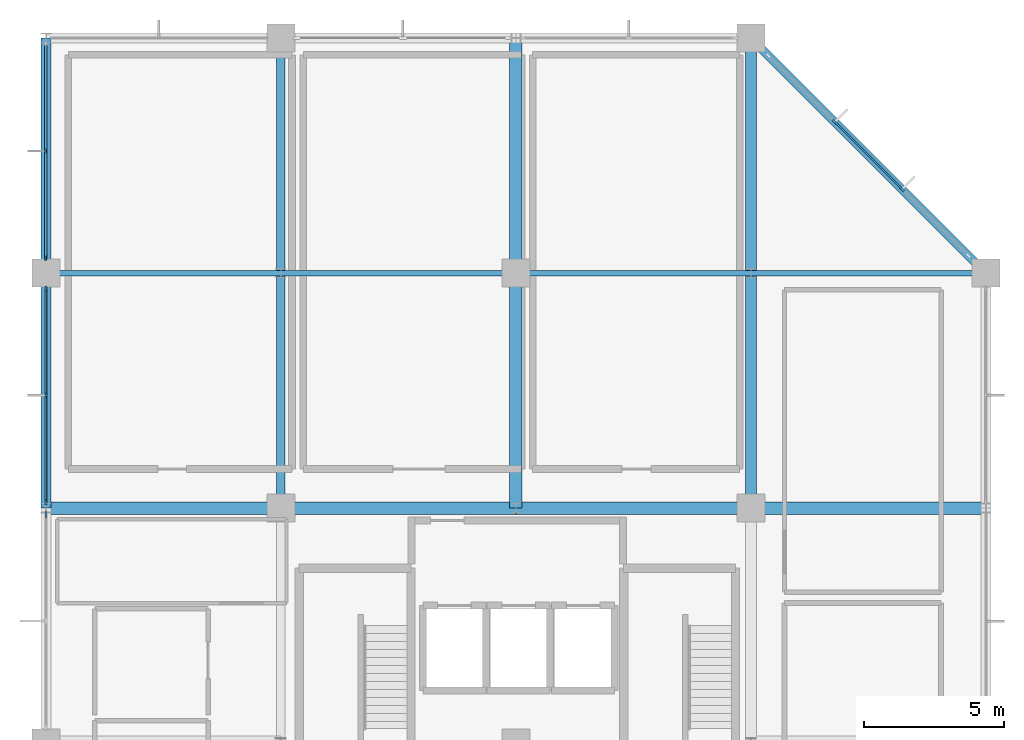
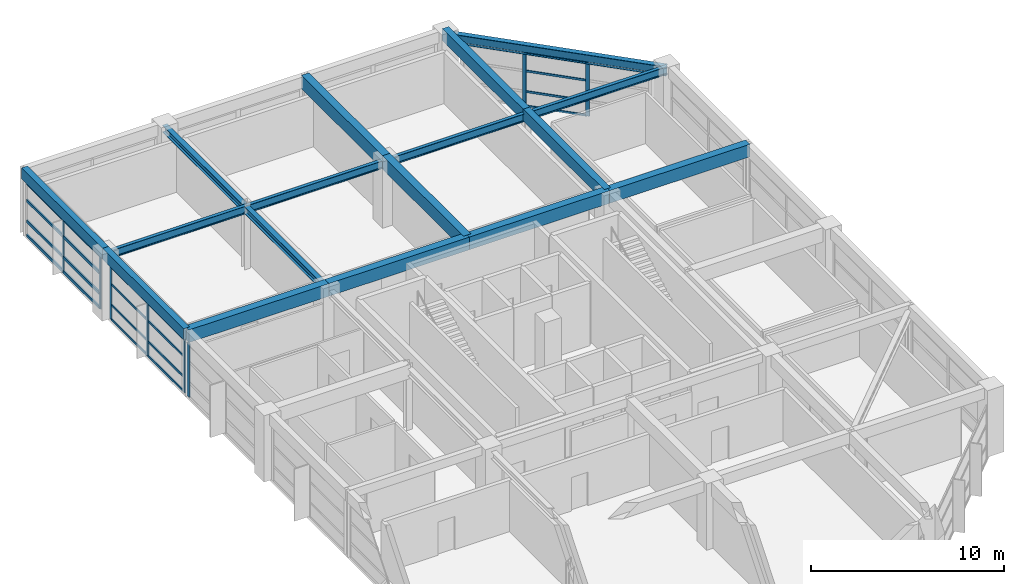
# One storey, part 7 of 15: 28 members, 17 beams, 4 elements without a shape of their own.
"""IFC4 building model written with IfcOpenShell, lengths in metres."""

from ifc_helpers import new_model, si_unit, direction, frame, origin, origin_2d, place, context, subcontext, project, spatial, rectangle, i_section, extrude, material, material_profile, profile_set, type_object, element, aggregate, save


model = new_model("IFC4")

# Units and contexts
model_context = context("Model", 3, precision=1e-05, world=origin(), true_north=direction((0.0, 1.0)))
body_context = subcontext(model_context, "Body", "Model", "MODEL_VIEW")
ifc_project = project(units=[si_unit("LENGTHUNIT", "METRE"), si_unit("AREAUNIT", "SQUARE_METRE"), si_unit("VOLUMEUNIT", "CUBIC_METRE"), si_unit("PLANEANGLEUNIT", "RADIAN"), si_unit("MASSUNIT", "GRAM", prefix="KILO")], contexts=[model_context])

# Site, building, storey
site_placement = place(None, origin())
site = spatial("IfcSite", under=ifc_project, at=site_placement, CompositionType="ELEMENT")
building_placement = place(site_placement, origin())
building = spatial("IfcBuilding", under=site, at=building_placement, Name="Xuanlan Plaza Opera House", CompositionType="ELEMENT")
storey_placement = place(building_placement, frame((0.0, 0.0, 53.10009765625)))
storey = spatial("IfcBuildingStorey", under=building, at=storey_placement, Name="L12", CompositionType="ELEMENT", Elevation=53.10009765625)

# Curtain wall, members
ifc_material_1 = material(Name="Anodised Aluminium 6063-T6 and Low-E Glass", Category="aluminium")
curtain_wall_type_1 = type_object("IfcCurtainWallType", Name="ENV-CW-CW-03", PredefinedType="USERDEFINED", material=ifc_material_1)
curtain_wall_1_placement = place(storey_placement, origin())
curtain_wall_1 = element("IfcCurtainWall", 1, at=curtain_wall_1_placement, inside=storey, type_object=curtain_wall_type_1, Name="Unitised Curtain Wall L12-013", ObjectType="UNITISED CURTAIN WALL", PredefinedType="USERDEFINED")
ifc_material_2 = material(Name="Anodised Aluminium 6063-T6", Category="aluminium")
ifc_material_profile_1 = material_profile(ifc_material_2, rectangle(XDim=0.070068359375, YDim=0.179931640625, at=origin_2d()), Name="ALU-M 70x180")
ifc_profile_set_1 = profile_set([ifc_material_profile_1], Name="Anodised Aluminium 6063-T6")
member_type_1 = type_object("IfcMemberType", Name="ENV-CWM-02", PredefinedType="MULLION", material=ifc_profile_set_1)
member_1_placement = place(storey_placement, frame((126.0, 79.96240234375, 0.0), z_axis=(0.0, 0.0, 1.0), x_axis=(1.0, 0.0, 0.0)))
member_1 = element("IfcMember", 2, at=member_1_placement, type_object=member_type_1, Name="CW-03 mullion 2", PredefinedType="MULLION", context=body_context, shape_type="SweptSolid", body=[
    extrude(rectangle(XDim=0.070068359375, YDim=0.179931640625, at=origin_2d()), origin(), (0.0, 0.0, 1.0), 3.3798828125),
])
member_2_placement = place(storey_placement, frame((126.0, 76.155029296875, 0.0), z_axis=(0.0, 0.0, 1.0), x_axis=(1.0, 0.0, 0.0)))
member_2 = element("IfcMember", 3, at=member_2_placement, type_object=member_type_1, Name="CW-03 mullion 3", PredefinedType="MULLION", context=body_context, shape_type="SweptSolid", body=[
    extrude(rectangle(XDim=0.070068359375, YDim=0.179931640625, at=origin_2d()), origin(), (0.0, 0.0, 1.0), 3.3798828125),
])

curtain_wall_2_placement = place(storey_placement, origin())
curtain_wall_2 = element("IfcCurtainWall", 4, at=curtain_wall_2_placement, inside=storey, type_object=curtain_wall_type_1, Name="Unitised Curtain Wall L12-009", ObjectType="UNITISED CURTAIN WALL", PredefinedType="USERDEFINED")
ifc_material_profile_2 = material_profile(ifc_material_2, rectangle(XDim=0.074951171875, YDim=0.199951171875, at=origin_2d()), Name="ALU-M 75x200")
ifc_profile_set_2 = profile_set([ifc_material_profile_2], Name="Anodised Aluminium 6063-T6")
member_type_2 = type_object("IfcMemberType", Name="ENV-CWM-03", PredefinedType="MULLION", material=ifc_profile_set_2)
member_3_placement = place(storey_placement, frame((156.600341796875, 78.599609375, 0.0), z_axis=(0.0, 0.0, 1.0), x_axis=(-0.707106781187, -0.707106781187, 0.0)))
member_3 = element("IfcMember", 5, at=member_3_placement, type_object=member_type_2, Name="CW-03 mullion 2", PredefinedType="MULLION", context=body_context, shape_type="SweptSolid", body=[
    extrude(rectangle(XDim=0.074951171875, YDim=0.199951171875, at=origin_2d()), origin(), (0.0, 0.0, 1.0), 3.3798828125),
])
member_4_placement = place(storey_placement, frame((154.19970703125, 81.000244140625, 0.0), z_axis=(0.0, 0.0, 1.0), x_axis=(-0.707106781187, -0.707106781187, 0.0)))
member_4 = element("IfcMember", 6, at=member_4_placement, type_object=member_type_2, Name="CW-03 mullion 3", PredefinedType="MULLION", context=body_context, shape_type="SweptSolid", body=[
    extrude(rectangle(XDim=0.074951171875, YDim=0.199951171875, at=origin_2d()), origin(), (0.0, 0.0, 1.0), 3.3798828125),
])

curtain_wall_type_2 = type_object("IfcCurtainWallType", Name="ENV-CW-CW-04", PredefinedType="USERDEFINED", material=ifc_material_1)
curtain_wall_3_placement = place(storey_placement, origin())
curtain_wall_3 = element("IfcCurtainWall", 7, at=curtain_wall_3_placement, inside=storey, type_object=curtain_wall_type_2, Name="Unitised Curtain Wall L12-014", ObjectType="UNITISED CURTAIN WALL", PredefinedType="USERDEFINED")
member_5_placement = place(storey_placement, frame((126.0, 75.04248046875, 0.0), z_axis=(0.0, 0.0, 1.0), x_axis=(1.0, 0.0, 0.0)))
member_5 = element("IfcMember", 8, at=member_5_placement, type_object=member_type_2, Name="CW-04 mullion 1", PredefinedType="MULLION", context=body_context, shape_type="SweptSolid", body=[
    extrude(rectangle(XDim=0.074951171875, YDim=0.199951171875, at=origin_2d()), origin(), (0.0, 0.0, 1.0), 3.3798828125),
])
member_6_placement = place(storey_placement, frame((126.0, 71.237548828125, 0.0), z_axis=(0.0, 0.0, 1.0), x_axis=(1.0, 0.0, 0.0)))
member_6 = element("IfcMember", 9, at=member_6_placement, type_object=member_type_2, Name="CW-04 mullion 2", PredefinedType="MULLION", context=body_context, shape_type="SweptSolid", body=[
    extrude(rectangle(XDim=0.074951171875, YDim=0.199951171875, at=origin_2d()), origin(), (0.0, 0.0, 1.0), 3.3798828125),
])
member_7_placement = place(storey_placement, frame((126.0, 67.4326171875, 0.0), z_axis=(0.0, 0.0, 1.0), x_axis=(1.0, 0.0, 0.0)))
member_7 = element("IfcMember", 10, at=member_7_placement, type_object=member_type_2, Name="CW-04 mullion 3", PredefinedType="MULLION", context=body_context, shape_type="SweptSolid", body=[
    extrude(rectangle(XDim=0.074951171875, YDim=0.199951171875, at=origin_2d()), origin(), (0.0, 0.0, 1.0), 3.3798828125),
])

# Curtain wall, member
curtain_wall_type_3 = type_object("IfcCurtainWallType", Name="ENV-CW-CW-01", PredefinedType="USERDEFINED", material=ifc_material_1)
curtain_wall_4_placement = place(storey_placement, origin())
curtain_wall_4 = element("IfcCurtainWall", 11, at=curtain_wall_4_placement, inside=storey, type_object=curtain_wall_type_3, Name="Unitised Curtain Wall L12-015", ObjectType="UNITISED CURTAIN WALL", PredefinedType="USERDEFINED")
ifc_material_profile_3 = material_profile(ifc_material_2, rectangle(XDim=0.080078125, YDim=0.219970703125, at=origin_2d()), Name="ALU-M 80x220")
ifc_profile_set_3 = profile_set([ifc_material_profile_3], Name="Anodised Aluminium 6063-T6")
member_type_3 = type_object("IfcMemberType", Name="ENV-CWM-04", PredefinedType="MULLION", material=ifc_profile_set_3)
member_8_placement = place(storey_placement, frame((126.0, 66.965087890625, 0.0), z_axis=(0.0, 0.0, 1.0), x_axis=(1.0, 0.0, 0.0)))
member_8 = element("IfcMember", 12, at=member_8_placement, type_object=member_type_3, Name="CW-01 mullion 1", PredefinedType="MULLION", context=body_context, shape_type="SweptSolid", body=[
    extrude(rectangle(XDim=0.080078125, YDim=0.219970703125, at=origin_2d()), origin(), (0.0, 0.0, 1.0), 3.3798828125),
])
aggregate(curtain_wall_4, [member_8])

# Member
ifc_material_profile_4 = material_profile(ifc_material_2, rectangle(XDim=0.070068359375, YDim=0.135009765625, at=origin_2d()), Name="ALU-T 70x135")
ifc_profile_set_4 = profile_set([ifc_material_profile_4], Name="Anodised Aluminium 6063-T6")
member_type_4 = type_object("IfcMemberType", Name="ENV-CWT-02", PredefinedType="USERDEFINED", material=ifc_profile_set_4)
member_9_placement = place(storey_placement, frame((156.57373046875, 78.626220703125, 0.034912109375), z_axis=(-0.707106781187, 0.707106781187, 0.0), x_axis=(-0.707106781187, -0.707106781187, 0.0)))
member_9 = element("IfcMember", 13, at=member_9_placement, type_object=member_type_4, Name="CW-03 transom 2.1", ObjectType="TRANSOM", PredefinedType="USERDEFINED", context=body_context, shape_type="SweptSolid", body=[
    extrude(rectangle(XDim=0.070068359375, YDim=0.135009765625, at=origin_2d()), origin(), (0.0, 0.0, 1.0), 3.320068359375),
])

member_10_placement = place(storey_placement, frame((156.57373046875, 78.626220703125, 0.949951171875), z_axis=(-0.707106781187, 0.707106781187, 0.0), x_axis=(-0.707106781187, -0.707106781187, 0.0)))
member_10 = element("IfcMember", 14, at=member_10_placement, type_object=member_type_4, Name="CW-03 transom 2.2", ObjectType="TRANSOM", PredefinedType="USERDEFINED", context=body_context, shape_type="SweptSolid", body=[
    extrude(rectangle(XDim=0.070068359375, YDim=0.135009765625, at=origin_2d()), origin(), (0.0, 0.0, 1.0), 3.320068359375),
])

member_11_placement = place(storey_placement, frame((156.57373046875, 78.626220703125, 2.25), z_axis=(-0.707106781187, 0.707106781187, 0.0), x_axis=(-0.707106781187, -0.707106781187, 0.0)))
member_11 = element("IfcMember", 15, at=member_11_placement, type_object=member_type_4, Name="CW-03 transom 2.3", ObjectType="TRANSOM", PredefinedType="USERDEFINED", context=body_context, shape_type="SweptSolid", body=[
    extrude(rectangle(XDim=0.070068359375, YDim=0.135009765625, at=origin_2d()), origin(), (0.0, 0.0, 1.0), 3.320068359375),
])

member_12_placement = place(storey_placement, frame((156.57373046875, 78.626220703125, 3.344970703125), z_axis=(-0.707106781187, 0.707106781187, 0.0), x_axis=(-0.707106781187, -0.707106781187, 0.0)))
member_12 = element("IfcMember", 16, at=member_12_placement, type_object=member_type_4, Name="CW-03 transom 2.4", ObjectType="TRANSOM", PredefinedType="USERDEFINED", context=body_context, shape_type="SweptSolid", body=[
    extrude(rectangle(XDim=0.070068359375, YDim=0.135009765625, at=origin_2d()), origin(), (0.0, 0.0, 1.0), 3.320068359375),
])

aggregate(curtain_wall_2, [member_3, member_4, member_9, member_10, member_11, member_12])

member_13_placement = place(storey_placement, frame((126.0, 75.0048828125, 0.034912109375), z_axis=(0.0, -1.0, 0.0), x_axis=(1.0, 0.0, 0.0)))
member_13 = element("IfcMember", 17, at=member_13_placement, type_object=member_type_4, Name="CW-04 transom 1.1", ObjectType="TRANSOM", PredefinedType="USERDEFINED", context=body_context, shape_type="SweptSolid", body=[
    extrude(rectangle(XDim=0.070068359375, YDim=0.135009765625, at=origin_2d()), origin(), (0.0, 0.0, 1.0), 3.72998046875),
])

member_14_placement = place(storey_placement, frame((126.0, 75.0048828125, 0.949951171875), z_axis=(0.0, -1.0, 0.0), x_axis=(1.0, 0.0, 0.0)))
member_14 = element("IfcMember", 18, at=member_14_placement, type_object=member_type_4, Name="CW-04 transom 1.2", ObjectType="TRANSOM", PredefinedType="USERDEFINED", context=body_context, shape_type="SweptSolid", body=[
    extrude(rectangle(XDim=0.070068359375, YDim=0.135009765625, at=origin_2d()), origin(), (0.0, 0.0, 1.0), 3.72998046875),
])

member_15_placement = place(storey_placement, frame((126.0, 75.0048828125, 2.25), z_axis=(0.0, -1.0, 0.0), x_axis=(1.0, 0.0, 0.0)))
member_15 = element("IfcMember", 19, at=member_15_placement, type_object=member_type_4, Name="CW-04 transom 1.3", ObjectType="TRANSOM", PredefinedType="USERDEFINED", context=body_context, shape_type="SweptSolid", body=[
    extrude(rectangle(XDim=0.070068359375, YDim=0.135009765625, at=origin_2d()), origin(), (0.0, 0.0, 1.0), 3.72998046875),
])

member_16_placement = place(storey_placement, frame((126.0, 75.0048828125, 3.344970703125), z_axis=(0.0, -1.0, 0.0), x_axis=(1.0, 0.0, 0.0)))
member_16 = element("IfcMember", 20, at=member_16_placement, type_object=member_type_4, Name="CW-04 transom 1.4", ObjectType="TRANSOM", PredefinedType="USERDEFINED", context=body_context, shape_type="SweptSolid", body=[
    extrude(rectangle(XDim=0.070068359375, YDim=0.135009765625, at=origin_2d()), origin(), (0.0, 0.0, 1.0), 3.72998046875),
])

member_17_placement = place(storey_placement, frame((126.0, 71.199951171875, 0.034912109375), z_axis=(0.0, -1.0, 0.0), x_axis=(1.0, 0.0, 0.0)))
member_17 = element("IfcMember", 21, at=member_17_placement, type_object=member_type_4, Name="CW-04 transom 2.1", ObjectType="TRANSOM", PredefinedType="USERDEFINED", context=body_context, shape_type="SweptSolid", body=[
    extrude(rectangle(XDim=0.070068359375, YDim=0.135009765625, at=origin_2d()), origin(), (0.0, 0.0, 1.0), 3.72998046875),
])

member_18_placement = place(storey_placement, frame((126.0, 71.199951171875, 0.949951171875), z_axis=(0.0, -1.0, 0.0), x_axis=(1.0, 0.0, 0.0)))
member_18 = element("IfcMember", 22, at=member_18_placement, type_object=member_type_4, Name="CW-04 transom 2.2", ObjectType="TRANSOM", PredefinedType="USERDEFINED", context=body_context, shape_type="SweptSolid", body=[
    extrude(rectangle(XDim=0.070068359375, YDim=0.135009765625, at=origin_2d()), origin(), (0.0, 0.0, 1.0), 3.72998046875),
])

member_19_placement = place(storey_placement, frame((126.0, 71.199951171875, 2.25), z_axis=(0.0, -1.0, 0.0), x_axis=(1.0, 0.0, 0.0)))
member_19 = element("IfcMember", 23, at=member_19_placement, type_object=member_type_4, Name="CW-04 transom 2.3", ObjectType="TRANSOM", PredefinedType="USERDEFINED", context=body_context, shape_type="SweptSolid", body=[
    extrude(rectangle(XDim=0.070068359375, YDim=0.135009765625, at=origin_2d()), origin(), (0.0, 0.0, 1.0), 3.72998046875),
])

member_20_placement = place(storey_placement, frame((126.0, 71.199951171875, 3.344970703125), z_axis=(0.0, -1.0, 0.0), x_axis=(1.0, 0.0, 0.0)))
member_20 = element("IfcMember", 24, at=member_20_placement, type_object=member_type_4, Name="CW-04 transom 2.4", ObjectType="TRANSOM", PredefinedType="USERDEFINED", context=body_context, shape_type="SweptSolid", body=[
    extrude(rectangle(XDim=0.070068359375, YDim=0.135009765625, at=origin_2d()), origin(), (0.0, 0.0, 1.0), 3.72998046875),
])

aggregate(curtain_wall_3, [member_5, member_6, member_7, member_13, member_14, member_15, member_16, member_17, member_18, member_19, member_20])

ifc_material_profile_5 = material_profile(ifc_material_2, rectangle(XDim=0.090087890625, YDim=0.179931640625, at=origin_2d()), Name="ALU-T 90x180")
ifc_profile_set_5 = profile_set([ifc_material_profile_5], Name="Anodised Aluminium 6063-T6")
member_type_5 = type_object("IfcMemberType", Name="ENV-CWT-05", PredefinedType="USERDEFINED", material=ifc_profile_set_5)
member_21_placement = place(storey_placement, frame((126.0, 83.735107421875, 0.044921875), z_axis=(0.0, -1.0, 0.0), x_axis=(1.0, 0.0, 0.0)))
member_21 = element("IfcMember", 25, at=member_21_placement, type_object=member_type_5, Name="CW-03 transom 1.1", ObjectType="TRANSOM", PredefinedType="USERDEFINED", context=body_context, shape_type="SweptSolid", body=[
    extrude(rectangle(XDim=0.090087890625, YDim=0.179931640625, at=origin_2d()), origin(), (0.0, 0.0, 1.0), 3.737548828125),
])

member_22_placement = place(storey_placement, frame((126.0, 83.735107421875, 0.949951171875), z_axis=(0.0, -1.0, 0.0), x_axis=(1.0, 0.0, 0.0)))
member_22 = element("IfcMember", 26, at=member_22_placement, type_object=member_type_5, Name="CW-03 transom 1.2", ObjectType="TRANSOM", PredefinedType="USERDEFINED", context=body_context, shape_type="SweptSolid", body=[
    extrude(rectangle(XDim=0.090087890625, YDim=0.179931640625, at=origin_2d()), origin(), (0.0, 0.0, 1.0), 3.737548828125),
])

member_23_placement = place(storey_placement, frame((126.0, 83.735107421875, 2.25), z_axis=(0.0, -1.0, 0.0), x_axis=(1.0, 0.0, 0.0)))
member_23 = element("IfcMember", 27, at=member_23_placement, type_object=member_type_5, Name="CW-03 transom 1.3", ObjectType="TRANSOM", PredefinedType="USERDEFINED", context=body_context, shape_type="SweptSolid", body=[
    extrude(rectangle(XDim=0.090087890625, YDim=0.179931640625, at=origin_2d()), origin(), (0.0, 0.0, 1.0), 3.737548828125),
])

member_24_placement = place(storey_placement, frame((126.0, 83.735107421875, 3.3349609375), z_axis=(0.0, -1.0, 0.0), x_axis=(1.0, 0.0, 0.0)))
member_24 = element("IfcMember", 28, at=member_24_placement, type_object=member_type_5, Name="CW-03 transom 1.4", ObjectType="TRANSOM", PredefinedType="USERDEFINED", context=body_context, shape_type="SweptSolid", body=[
    extrude(rectangle(XDim=0.090087890625, YDim=0.179931640625, at=origin_2d()), origin(), (0.0, 0.0, 1.0), 3.737548828125),
])

member_25_placement = place(storey_placement, frame((126.0, 79.927490234375, 0.044921875), z_axis=(0.0, -1.0, 0.0), x_axis=(1.0, 0.0, 0.0)))
member_25 = element("IfcMember", 29, at=member_25_placement, type_object=member_type_5, Name="CW-03 transom 2.1", ObjectType="TRANSOM", PredefinedType="USERDEFINED", context=body_context, shape_type="SweptSolid", body=[
    extrude(rectangle(XDim=0.090087890625, YDim=0.179931640625, at=origin_2d()), origin(), (0.0, 0.0, 1.0), 3.737548828125),
])

member_26_placement = place(storey_placement, frame((126.0, 79.927490234375, 0.949951171875), z_axis=(0.0, -1.0, 0.0), x_axis=(1.0, 0.0, 0.0)))
member_26 = element("IfcMember", 30, at=member_26_placement, type_object=member_type_5, Name="CW-03 transom 2.2", ObjectType="TRANSOM", PredefinedType="USERDEFINED", context=body_context, shape_type="SweptSolid", body=[
    extrude(rectangle(XDim=0.090087890625, YDim=0.179931640625, at=origin_2d()), origin(), (0.0, 0.0, 1.0), 3.737548828125),
])

member_27_placement = place(storey_placement, frame((126.0, 79.927490234375, 2.25), z_axis=(0.0, -1.0, 0.0), x_axis=(1.0, 0.0, 0.0)))
member_27 = element("IfcMember", 31, at=member_27_placement, type_object=member_type_5, Name="CW-03 transom 2.3", ObjectType="TRANSOM", PredefinedType="USERDEFINED", context=body_context, shape_type="SweptSolid", body=[
    extrude(rectangle(XDim=0.090087890625, YDim=0.179931640625, at=origin_2d()), origin(), (0.0, 0.0, 1.0), 3.737548828125),
])

member_28_placement = place(storey_placement, frame((126.0, 79.927490234375, 3.3349609375), z_axis=(0.0, -1.0, 0.0), x_axis=(1.0, 0.0, 0.0)))
member_28 = element("IfcMember", 32, at=member_28_placement, type_object=member_type_5, Name="CW-03 transom 2.4", ObjectType="TRANSOM", PredefinedType="USERDEFINED", context=body_context, shape_type="SweptSolid", body=[
    extrude(rectangle(XDim=0.090087890625, YDim=0.179931640625, at=origin_2d()), origin(), (0.0, 0.0, 1.0), 3.737548828125),
])

aggregate(curtain_wall_1, [member_1, member_2, member_21, member_22, member_23, member_24, member_25, member_26, member_27, member_28])

# Beams
ifc_material_3 = material(Name="Concrete C40", Category="concrete")
ifc_material_profile_6 = material_profile(ifc_material_3, rectangle(XDim=0.449951171875, YDim=0.85009765625, at=origin_2d()), Name="RC-BM 450x850")
ifc_profile_set_6 = profile_set([ifc_material_profile_6], Name="Concrete C40")
beam_type_1 = type_object("IfcBeamType", Name="STR-BM-B-04", PredefinedType="BEAM", material=ifc_profile_set_6)
beam_1_placement = place(storey_placement, frame((142.800048828125, 67.199951171875, 3.77490234375), z_axis=(0.0, 1.0, 0.0), x_axis=(-1.0, 0.0, 0.0)))
element("IfcBeam", 33, at=beam_1_placement, inside=storey, type_object=beam_type_1, Name="Grid Beam Y L12 18/I-J", PredefinedType="BEAM", context=body_context, shape_type="SweptSolid", body=[
    extrude(rectangle(XDim=0.449951171875, YDim=0.85009765625, at=origin_2d()), origin(), (0.0, 0.0, 1.0), 8.400146484375),
])
beam_2_placement = place(storey_placement, frame((142.800048828125, 75.60009765625, 3.77490234375), z_axis=(0.0, 1.0, 0.0), x_axis=(-1.0, 0.0, 0.0)))
element("IfcBeam", 34, at=beam_2_placement, inside=storey, type_object=beam_type_1, Name="Grid Beam Y L12 18/J-K", PredefinedType="BEAM", context=body_context, shape_type="SweptSolid", body=[
    extrude(rectangle(XDim=0.449951171875, YDim=0.85009765625, at=origin_2d()), origin(), (0.0, 0.0, 1.0), 8.39990234375),
])
ifc_material_profile_7 = material_profile(ifc_material_3, rectangle(XDim=0.449951171875, YDim=0.800048828125, at=origin_2d()), Name="RC-BM 450x800")
ifc_profile_set_7 = profile_set([ifc_material_profile_7], Name="Concrete C40")
beam_type_2 = type_object("IfcBeamType", Name="STR-BM-B-05", PredefinedType="BEAM", material=ifc_profile_set_7)
beam_3_placement = place(storey_placement, frame((126.0, 67.199951171875, 3.7998046875), z_axis=(1.0, 0.0, 0.0), x_axis=(0.0, 1.0, 0.0)))
element("IfcBeam", 35, at=beam_3_placement, inside=storey, type_object=beam_type_2, Name="Grid Beam X L12 16-17/I", PredefinedType="BEAM", context=body_context, shape_type="SweptSolid", body=[
    extrude(rectangle(XDim=0.449951171875, YDim=0.800048828125, at=origin_2d()), origin(), (0.0, 0.0, 1.0), 8.39990234375),
])
beam_4_placement = place(storey_placement, frame((134.39990234375, 67.199951171875, 3.7998046875), z_axis=(1.0, 0.0, 0.0), x_axis=(0.0, 1.0, 0.0)))
element("IfcBeam", 36, at=beam_4_placement, inside=storey, type_object=beam_type_2, Name="Grid Beam X L12 17-18/I", PredefinedType="BEAM", context=body_context, shape_type="SweptSolid", body=[
    extrude(rectangle(XDim=0.449951171875, YDim=0.800048828125, at=origin_2d()), origin(), (0.0, 0.0, 1.0), 8.400146484375),
])
beam_5_placement = place(storey_placement, frame((142.800048828125, 67.199951171875, 3.7998046875), z_axis=(1.0, 0.0, 0.0), x_axis=(0.0, 1.0, 0.0)))
element("IfcBeam", 37, at=beam_5_placement, inside=storey, type_object=beam_type_2, Name="Grid Beam X L12 18-19/I", PredefinedType="BEAM", context=body_context, shape_type="SweptSolid", body=[
    extrude(rectangle(XDim=0.449951171875, YDim=0.800048828125, at=origin_2d()), origin(), (0.0, 0.0, 1.0), 8.39990234375),
])
beam_6_placement = place(storey_placement, frame((151.199951171875, 67.199951171875, 3.7998046875), z_axis=(1.0, 0.0, 0.0), x_axis=(0.0, 1.0, 0.0)))
element("IfcBeam", 38, at=beam_6_placement, inside=storey, type_object=beam_type_2, Name="Grid Beam X L12 19-20/I", PredefinedType="BEAM", context=body_context, shape_type="SweptSolid", body=[
    extrude(rectangle(XDim=0.449951171875, YDim=0.800048828125, at=origin_2d()), origin(), (0.0, 0.0, 1.0), 8.400146484375),
])
ifc_material_profile_8 = material_profile(ifc_material_3, rectangle(XDim=0.39990234375, YDim=0.75, at=origin_2d()), Name="RC-BM 400x750")
ifc_profile_set_8 = profile_set([ifc_material_profile_8], Name="Concrete C40")
beam_type_3 = type_object("IfcBeamType", Name="STR-BM-B-06", PredefinedType="BEAM", material=ifc_profile_set_8)
beam_7_placement = place(storey_placement, frame((151.199951171875, 67.199951171875, 3.824951171875), z_axis=(0.0, 1.0, 0.0), x_axis=(-1.0, 0.0, 0.0)))
element("IfcBeam", 39, at=beam_7_placement, inside=storey, type_object=beam_type_3, Name="Grid Beam Y L12 19/I-J", PredefinedType="BEAM", context=body_context, shape_type="SweptSolid", body=[
    extrude(rectangle(XDim=0.39990234375, YDim=0.75, at=origin_2d()), origin(), (0.0, 0.0, 1.0), 8.400146484375),
])
beam_8_placement = place(storey_placement, frame((151.199951171875, 75.60009765625, 3.824951171875), z_axis=(0.0, 1.0, 0.0), x_axis=(-1.0, 0.0, 0.0)))
element("IfcBeam", 40, at=beam_8_placement, inside=storey, type_object=beam_type_3, Name="Grid Beam Y L12 19/J-K", PredefinedType="BEAM", context=body_context, shape_type="SweptSolid", body=[
    extrude(rectangle(XDim=0.39990234375, YDim=0.75, at=origin_2d()), origin(), (0.0, 0.0, 1.0), 8.39990234375),
])
ifc_material_4 = material(Name="Steel Q355B", Category="steel")
ifc_material_profile_9 = material_profile(ifc_material_4, i_section(OverallWidth=0.199951171875, OverallDepth=0.5, WebThickness=0.010009765625, FlangeThickness=0.01611328125, FilletRadius=0.02001953125, at=origin_2d()), Name="HN 500x200x10x16")
ifc_profile_set_9 = profile_set([ifc_material_profile_9], Name="Steel Q355B")
beam_type_4 = type_object("IfcBeamType", Name="STR-BM-SB-05", PredefinedType="BEAM", material=ifc_profile_set_9)
beam_9_placement = place(storey_placement, frame((126.0, 75.60009765625, 3.704833984375), z_axis=(1.0, 0.0, 0.0), x_axis=(0.0, 1.0, 0.0)))
element("IfcBeam", 41, at=beam_9_placement, inside=storey, type_object=beam_type_4, Name="Grid Beam X L12 16-17/J", PredefinedType="BEAM", context=body_context, shape_type="SweptSolid", body=[
    extrude(i_section(OverallWidth=0.199951171875, OverallDepth=0.5, WebThickness=0.010009765625, FlangeThickness=0.01611328125, FilletRadius=0.02001953125, at=origin_2d()), origin(), (0.0, 0.0, 1.0), 8.39990234375),
])
beam_10_placement = place(storey_placement, frame((134.39990234375, 75.60009765625, 3.704833984375), z_axis=(1.0, 0.0, 0.0), x_axis=(0.0, 1.0, 0.0)))
element("IfcBeam", 42, at=beam_10_placement, inside=storey, type_object=beam_type_4, Name="Grid Beam X L12 17-18/J", PredefinedType="BEAM", context=body_context, shape_type="SweptSolid", body=[
    extrude(i_section(OverallWidth=0.199951171875, OverallDepth=0.5, WebThickness=0.010009765625, FlangeThickness=0.01611328125, FilletRadius=0.02001953125, at=origin_2d()), origin(), (0.0, 0.0, 1.0), 8.400146484375),
])
beam_11_placement = place(storey_placement, frame((142.800048828125, 75.60009765625, 3.704833984375), z_axis=(1.0, 0.0, 0.0), x_axis=(0.0, 1.0, 0.0)))
element("IfcBeam", 43, at=beam_11_placement, inside=storey, type_object=beam_type_4, Name="Grid Beam X L12 18-19/J", PredefinedType="BEAM", context=body_context, shape_type="SweptSolid", body=[
    extrude(i_section(OverallWidth=0.199951171875, OverallDepth=0.5, WebThickness=0.010009765625, FlangeThickness=0.01611328125, FilletRadius=0.02001953125, at=origin_2d()), origin(), (0.0, 0.0, 1.0), 8.39990234375),
])
beam_12_placement = place(storey_placement, frame((151.199951171875, 75.60009765625, 3.704833984375), z_axis=(1.0, 0.0, 0.0), x_axis=(0.0, 1.0, 0.0)))
element("IfcBeam", 44, at=beam_12_placement, inside=storey, type_object=beam_type_4, Name="Grid Beam X L12 19-20/J", PredefinedType="BEAM", context=body_context, shape_type="SweptSolid", body=[
    extrude(i_section(OverallWidth=0.199951171875, OverallDepth=0.5, WebThickness=0.010009765625, FlangeThickness=0.01611328125, FilletRadius=0.02001953125, at=origin_2d()), origin(), (0.0, 0.0, 1.0), 8.400146484375),
])
ifc_material_profile_10 = material_profile(ifc_material_4, i_section(OverallWidth=0.300048828125, OverallDepth=0.43994140625, WebThickness=0.010986328125, FlangeThickness=0.01806640625, FilletRadius=0.02001953125, at=origin_2d()), Name="HM 440x300x11x18")
ifc_profile_set_10 = profile_set([ifc_material_profile_10], Name="Steel Q355B")
beam_type_5 = type_object("IfcBeamType", Name="STR-BM-SB-08", PredefinedType="BEAM", material=ifc_profile_set_10)
beam_13_placement = place(storey_placement, frame((134.39990234375, 67.199951171875, 3.73486328125), z_axis=(0.0, 1.0, 0.0), x_axis=(-1.0, 0.0, 0.0)))
element("IfcBeam", 45, at=beam_13_placement, inside=storey, type_object=beam_type_5, Name="Grid Beam Y L12 17/I-J", PredefinedType="BEAM", context=body_context, shape_type="SweptSolid", body=[
    extrude(i_section(OverallWidth=0.300048828125, OverallDepth=0.43994140625, WebThickness=0.010986328125, FlangeThickness=0.01806640625, FilletRadius=0.02001953125, at=origin_2d()), origin(), (0.0, 0.0, 1.0), 8.400146484375),
])
beam_14_placement = place(storey_placement, frame((134.39990234375, 75.60009765625, 3.73486328125), z_axis=(0.0, 1.0, 0.0), x_axis=(-1.0, 0.0, 0.0)))
element("IfcBeam", 46, at=beam_14_placement, inside=storey, type_object=beam_type_5, Name="Grid Beam Y L12 17/J-K", PredefinedType="BEAM", context=body_context, shape_type="SweptSolid", body=[
    extrude(i_section(OverallWidth=0.300048828125, OverallDepth=0.43994140625, WebThickness=0.010986328125, FlangeThickness=0.01806640625, FilletRadius=0.02001953125, at=origin_2d()), origin(), (0.0, 0.0, 1.0), 8.39990234375),
])
ifc_material_profile_11 = material_profile(ifc_material_3, rectangle(XDim=0.35009765625, YDim=0.699951171875, at=origin_2d()), Name="RC-SPD 350x700")
ifc_profile_set_11 = profile_set([ifc_material_profile_11], Name="Concrete C40")
beam_type_6 = type_object("IfcBeamType", Name="STR-BM-SP-02", PredefinedType="SPANDREL", material=ifc_profile_set_11)
beam_15_placement = place(storey_placement, frame((126.0, 67.199951171875, 3.849853515625), z_axis=(0.0, 1.0, 0.0), x_axis=(-1.0, 0.0, 0.0)))
element("IfcBeam", 47, at=beam_15_placement, inside=storey, type_object=beam_type_6, Name="Grid Beam Y L12 16/I-J", PredefinedType="SPANDREL", context=body_context, shape_type="SweptSolid", body=[
    extrude(rectangle(XDim=0.35009765625, YDim=0.699951171875, at=origin_2d()), origin(), (0.0, 0.0, 1.0), 8.400146484375),
])
beam_16_placement = place(storey_placement, frame((126.0, 75.60009765625, 3.849853515625), z_axis=(0.0, 1.0, 0.0), x_axis=(-1.0, 0.0, 0.0)))
element("IfcBeam", 48, at=beam_16_placement, inside=storey, type_object=beam_type_6, Name="Grid Beam Y L12 16/J-K", PredefinedType="SPANDREL", context=body_context, shape_type="SweptSolid", body=[
    extrude(rectangle(XDim=0.35009765625, YDim=0.699951171875, at=origin_2d()), origin(), (0.0, 0.0, 1.0), 8.39990234375),
])
ifc_material_profile_12 = material_profile(ifc_material_4, i_section(OverallWidth=0.300048828125, OverallDepth=0.587890625, WebThickness=0.011962890625, FlangeThickness=0.02001953125, FilletRadius=0.02392578125, at=origin_2d()), Name="HM 588x300x12x20")
ifc_profile_set_12 = profile_set([ifc_material_profile_12], Name="Steel Q355B")
beam_type_7 = type_object("IfcBeamType", Name="STR-BM-SP-03", PredefinedType="SPANDREL", material=ifc_profile_set_12)
beam_17_placement = place(storey_placement, frame((151.199951171875, 84.0, 3.660888671875), z_axis=(0.707117056885, -0.707096505339, 0.0), x_axis=(0.707096505339, 0.707117056885, 0.0)))
element("IfcBeam", 49, at=beam_17_placement, inside=storey, type_object=beam_type_7, Name="Faceted Edge Spandrel L12 CH03", PredefinedType="SPANDREL", context=body_context, shape_type="SweptSolid", body=[
    extrude(i_section(OverallWidth=0.300048828125, OverallDepth=0.587890625, WebThickness=0.011962890625, FlangeThickness=0.02001953125, FilletRadius=0.02392578125, at=origin_2d()), origin(), (0.0, 0.0, 1.0), 11.87939453125),
])

save(model, "model.ifc")
